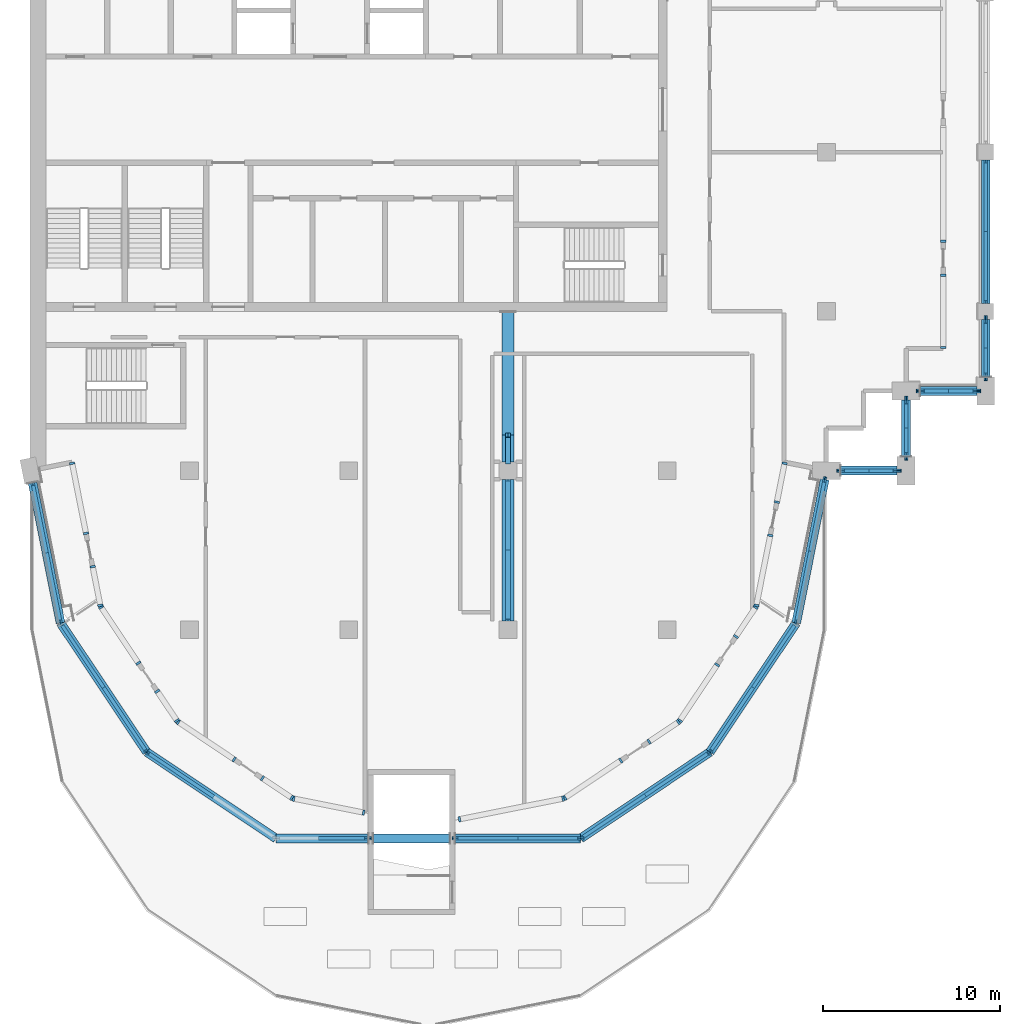
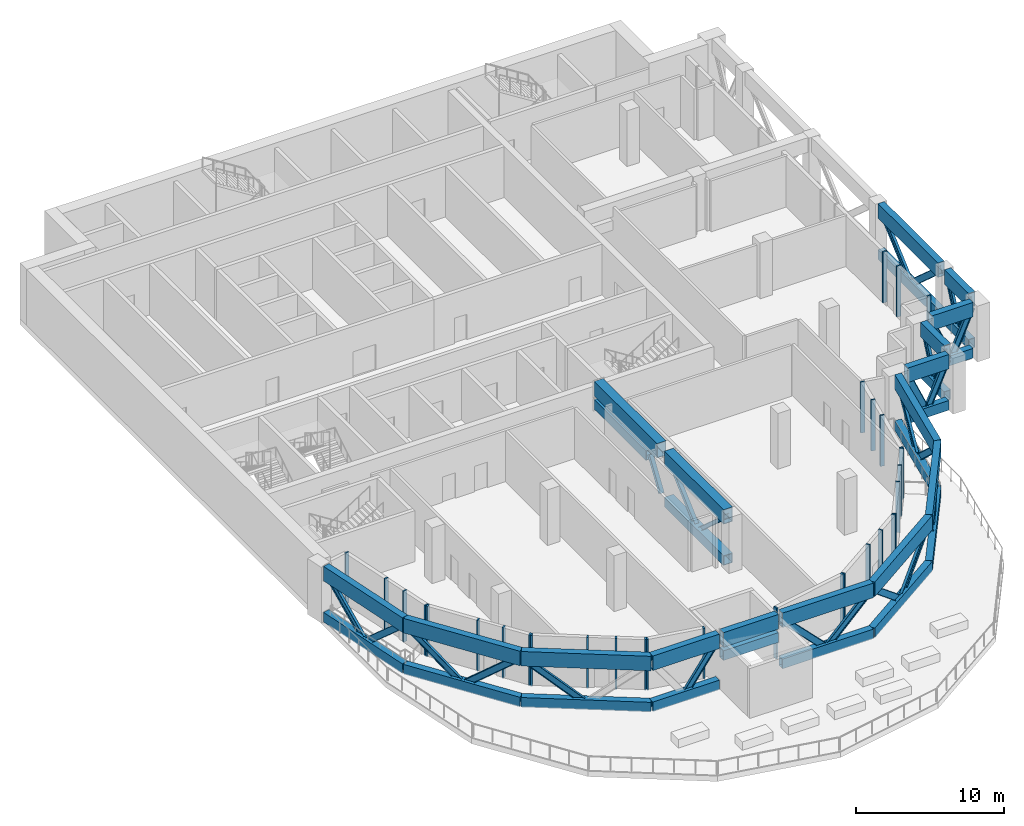
# One storey, part 2 of 18: 90 members.
"""IFC4 building model written with IfcOpenShell, lengths in metres."""

from ifc_helpers import new_model, si_unit, direction, frame, origin, origin_2d, place, context, subcontext, project, spatial, rectangle, hollow_rectangle, i_section, extrude, material, material_profile, profile_set, type_object, element, save


model = new_model("IFC4")

# Units and contexts
model_context = context("Model", 3, precision=1e-05, world=origin(), true_north=direction((0.0, 1.0)))
body_context = subcontext(model_context, "Body", "Model", "MODEL_VIEW")
ifc_project = project(units=[si_unit("LENGTHUNIT", "METRE"), si_unit("AREAUNIT", "SQUARE_METRE"), si_unit("VOLUMEUNIT", "CUBIC_METRE"), si_unit("PLANEANGLEUNIT", "RADIAN"), si_unit("MASSUNIT", "GRAM", prefix="KILO")], contexts=[model_context])

# Site, building, storey
site_placement = place(None, origin())
site = spatial("IfcSite", under=ifc_project, at=site_placement, CompositionType="ELEMENT")
building_placement = place(site_placement, origin())
building = spatial("IfcBuilding", under=site, at=building_placement, Name="Hunhe Ridgeline Campus", CompositionType="ELEMENT")
storey_placement = place(building_placement, frame((0.0, 0.0, 276.199951171875)))
storey = spatial("IfcBuildingStorey", under=building, at=storey_placement, Name="L71", CompositionType="ELEMENT", Elevation=276.199951171875)

# Members
ifc_material_1 = material(Name="Steel Q420", Category="steel")
ifc_material_profile_1 = material_profile(ifc_material_1, hollow_rectangle(XDim=0.5, YDim=0.800048828125, WallThickness=0.031982421875, at=origin_2d()))
ifc_profile_set_1 = profile_set([ifc_material_profile_1], Name="Steel Q420")
member_type_1 = type_object("IfcMemberType", Name="Belt truss bottom chord Box 800x500x32 Steel Q420", PredefinedType="CHORD", material=ifc_profile_set_1)
member_1_placement = place(storey_placement, frame((0.136474609375, 53.3134765625, 0.400146484375), z_axis=(0.195093234831, -0.980784701004, 0.0), x_axis=(0.980784701004, 0.195093234831, 0.0)))
element("IfcMember", 1, at=member_1_placement, inside=storey, type_object=member_type_1, Name="Belt truss BT1 bottom chord L71 2", PredefinedType="CHORD", context=body_context, shape_type="SweptSolid", body=[
    extrude(hollow_rectangle(XDim=0.5, YDim=0.800048828125, WallThickness=0.031982421875, at=origin_2d()), origin(), (0.0, 0.0, 1.0), 8.0791015625),
])
for number, where, z_axis, x_axis, name in (
    (2, (1.712646484375, 45.3896484375, 0.400146484375), (0.555572672849, -0.831467982056, 0.0), (0.831467982056, 0.555572672849, 0.0), "Belt truss BT1 bottom chord L71 6"),
    (3, (6.590087890625, 38.090087890625, 0.400146484375), (0.831467982056, -0.555572672849, 0.0), (0.555572672849, 0.831467982056, 0.0), "Belt truss BT1 bottom chord L71 10"),
):
    element("IfcMember", number, at=place(storey_placement, frame(where, z_axis=z_axis, x_axis=x_axis)), inside=storey, type_object=member_type_1, Name=name, PredefinedType="CHORD", context=body_context, shape_type="SweptSolid", body=[
        extrude(hollow_rectangle(XDim=0.5, YDim=0.800048828125, WallThickness=0.031982421875, at=origin_2d()), origin(), (0.0, 0.0, 1.0), 8.779052734375),
    ])
member_2_placement = place(storey_placement, frame((13.8896484375, 33.212646484375, 0.400146484375), z_axis=(1.0, 0.0, 0.0), x_axis=(0.0, 1.0, 0.0)))
element("IfcMember", 4, at=member_2_placement, inside=storey, type_object=member_type_1, Name="Belt truss BT1 bottom chord L71 14", PredefinedType="CHORD", context=body_context, shape_type="SweptSolid", body=[
    extrude(hollow_rectangle(XDim=0.5, YDim=0.800048828125, WallThickness=0.031982421875, at=origin_2d()), origin(), (0.0, 0.0, 1.0), 5.200439453125),
])
member_3_placement = place(storey_placement, frame((19.39990234375, 33.212646484375, 2.699951171875), z_axis=(1.0, 0.0, 0.0), x_axis=(0.0, 1.0, 0.0)))
element("IfcMember", 5, at=member_3_placement, inside=storey, type_object=member_type_1, Name="Belt truss BT1 bottom chord L71 18", PredefinedType="CHORD", context=body_context, shape_type="SweptSolid", body=[
    extrude(hollow_rectangle(XDim=0.5, YDim=0.800048828125, WallThickness=0.031982421875, at=origin_2d()), origin(), (0.0, 0.0, 1.0), 4.300048828125),
])
member_4_placement = place(storey_placement, frame((24.010009765625, 33.212646484375, 0.400146484375), z_axis=(1.0, 0.0, 0.0), x_axis=(0.0, 1.0, 0.0)))
element("IfcMember", 6, at=member_4_placement, inside=storey, type_object=member_type_1, Name="Belt truss BT1 bottom chord L71 20", PredefinedType="CHORD", context=body_context, shape_type="SweptSolid", body=[
    extrude(hollow_rectangle(XDim=0.5, YDim=0.800048828125, WallThickness=0.031982421875, at=origin_2d()), origin(), (0.0, 0.0, 1.0), 7.100341796875),
])
for number, where, z_axis, x_axis, name in (
    (7, (31.1103515625, 33.212646484375, 0.400146484375), (0.831467982056, 0.555572672849, 0.0), (-0.555572672849, 0.831467982056, 0.0), "Belt truss BT1 bottom chord L71 24"),
    (8, (38.409912109375, 38.090087890625, 0.400146484375), (0.555572672849, 0.831467982056, 0.0), (-0.831467982056, 0.555572672849, 0.0), "Belt truss BT1 bottom chord L71 28"),
):
    element("IfcMember", number, at=place(storey_placement, frame(where, z_axis=z_axis, x_axis=x_axis)), inside=storey, type_object=member_type_1, Name=name, PredefinedType="CHORD", context=body_context, shape_type="SweptSolid", body=[
        extrude(hollow_rectangle(XDim=0.5, YDim=0.800048828125, WallThickness=0.031982421875, at=origin_2d()), origin(), (0.0, 0.0, 1.0), 8.779052734375),
    ])
member_5_placement = place(storey_placement, frame((43.287353515625, 45.3896484375, 0.400146484375), z_axis=(0.195094046865, 0.980784539477, 0.0), x_axis=(-0.980784539477, 0.195094046865, 0.0)))
element("IfcMember", 9, at=member_5_placement, inside=storey, type_object=member_type_1, Name="Belt truss BT1 bottom chord L71 32", PredefinedType="CHORD", context=body_context, shape_type="SweptSolid", body=[
    extrude(hollow_rectangle(XDim=0.5, YDim=0.800048828125, WallThickness=0.031982421875, at=origin_2d()), origin(), (0.0, 0.0, 1.0), 8.269287109375),
])
for number, where, z_axis, x_axis, name in (
    (10, (45.800048828125, 54.0, 0.400146484375), (1.0, 0.0, 0.0), (0.0, 1.0, 0.0), "Belt truss BT1 bottom chord L71 36"),
    (11, (49.5, 54.800048828125, 0.400146484375), (0.0, 1.0, 0.0), (-1.0, 0.0, 0.0), "Belt truss BT1 bottom chord L71 40"),
    (12, (50.300048828125, 58.5, 0.400146484375), (1.0, 0.0, 0.0), (0.0, 1.0, 0.0), "Belt truss BT1 bottom chord L71 44"),
):
    element("IfcMember", number, at=place(storey_placement, frame(where, z_axis=z_axis, x_axis=x_axis)), inside=storey, type_object=member_type_1, Name=name, PredefinedType="CHORD", context=body_context, shape_type="SweptSolid", body=[
        extrude(hollow_rectangle(XDim=0.5, YDim=0.800048828125, WallThickness=0.031982421875, at=origin_2d()), origin(), (0.0, 0.0, 1.0), 3.199951171875),
    ])
member_6_placement = place(storey_placement, frame((54.0, 59.300048828125, 0.400146484375), z_axis=(0.0, 1.0, 0.0), x_axis=(-1.0, 0.0, 0.0)))
element("IfcMember", 13, at=member_6_placement, inside=storey, type_object=member_type_1, Name="Belt truss BT1 bottom chord L71 48", PredefinedType="CHORD", context=body_context, shape_type="SweptSolid", body=[
    extrude(hollow_rectangle(XDim=0.5, YDim=0.800048828125, WallThickness=0.031982421875, at=origin_2d()), origin(), (0.0, 0.0, 1.0), 3.25),
])
member_7_placement = place(storey_placement, frame((54.0, 63.449951171875, 0.400146484375), z_axis=(0.0, 1.0, 0.0), x_axis=(-1.0, 0.0, 0.0)))
element("IfcMember", 14, at=member_7_placement, inside=storey, type_object=member_type_1, Name="Belt truss BT1 bottom chord L71 52", PredefinedType="CHORD", context=body_context, shape_type="SweptSolid", body=[
    extrude(hollow_rectangle(XDim=0.5, YDim=0.800048828125, WallThickness=0.031982421875, at=origin_2d()), origin(), (0.0, 0.0, 1.0), 8.10009765625),
])
ifc_material_profile_2 = material_profile(ifc_material_1, i_section(OverallWidth=0.199951171875, OverallDepth=0.5, WebThickness=0.010009765625, FlangeThickness=0.01611328125, FilletRadius=0.02001953125, at=origin_2d()))
ifc_profile_set_2 = profile_set([ifc_material_profile_2], Name="Steel Q420")
member_type_2 = type_object("IfcMemberType", Name="Belt truss diagonal HN500x200x10x16 Steel Q420", PredefinedType="BRACE", material=ifc_profile_set_2)
for number, where, z_axis, x_axis, name in (
    (15, (0.136474609375, 53.3134765625, 4.0), (0.145650461646, -0.732222952786, -0.665308567835), (0.980784701004, 0.195093234831, 0.0), "Belt truss BT1 diagonal L71 3"),
    (16, (0.924560546875, 49.3515625, 0.400146484375), (0.145650461646, -0.732222952786, 0.665308567835), (0.980784701004, 0.195093234831, 0.0), "Belt truss BT1 diagonal L71 4"),
):
    element("IfcMember", number, at=place(storey_placement, frame(where, z_axis=z_axis, x_axis=x_axis)), inside=storey, type_object=member_type_2, Name=name, PredefinedType="BRACE", context=body_context, shape_type="SweptSolid", body=[
        extrude(i_section(OverallWidth=0.199951171875, OverallDepth=0.5, WebThickness=0.010009765625, FlangeThickness=0.01611328125, FilletRadius=0.02001953125, at=origin_2d()), origin(), (0.0, 0.0, 1.0), 5.410888671875),
    ])
member_8_placement = place(storey_placement, frame((1.712646484375, 45.3896484375, 4.0), z_axis=(0.429580712233, -0.642930388216, -0.634114285903), x_axis=(0.831476565381, 0.555559826862, 0.0)))
element("IfcMember", 17, at=member_8_placement, inside=storey, type_object=member_type_2, Name="Belt truss BT1 diagonal L71 7", PredefinedType="BRACE", context=body_context, shape_type="SweptSolid", body=[
    extrude(i_section(OverallWidth=0.199951171875, OverallDepth=0.5, WebThickness=0.010009765625, FlangeThickness=0.01611328125, FilletRadius=0.02001953125, at=origin_2d()), origin(), (0.0, 0.0, 1.0), 5.677001953125),
])
for number, where, z_axis, x_axis, name in (
    (18, (4.1513671875, 41.73974609375, 0.400146484375), (0.429592590005, -0.642905158473, 0.634131818963), (0.831459398135, 0.555585519297, 0.0), "Belt truss BT1 diagonal L71 8"),
    (19, (6.590087890625, 38.090087890625, 4.0), (0.642905158473, -0.429592590005, -0.634131818963), (0.555585519297, 0.831459398135, 0.0), "Belt truss BT1 diagonal L71 11"),
):
    element("IfcMember", number, at=place(storey_placement, frame(where, z_axis=z_axis, x_axis=x_axis)), inside=storey, type_object=member_type_2, Name=name, PredefinedType="BRACE", context=body_context, shape_type="SweptSolid", body=[
        extrude(i_section(OverallWidth=0.199951171875, OverallDepth=0.5, WebThickness=0.010009765625, FlangeThickness=0.01611328125, FilletRadius=0.02001953125, at=origin_2d()), origin(), (0.0, 0.0, 1.0), 5.6767578125),
    ])
member_9_placement = place(storey_placement, frame((16.48974609375, 33.212646484375, 0.400146484375), z_axis=(0.58555679156, 0.0, 0.810631385932), x_axis=(0.0, 1.0, 0.0)))
element("IfcMember", 20, at=member_9_placement, inside=storey, type_object=member_type_2, Name="Belt truss BT1 diagonal L71 16", PredefinedType="BRACE", context=body_context, shape_type="SweptSolid", body=[
    extrude(i_section(OverallWidth=0.199951171875, OverallDepth=0.5, WebThickness=0.010009765625, FlangeThickness=0.01611328125, FilletRadius=0.02001953125, at=origin_2d()), origin(), (0.0, 0.0, 1.0), 4.44091796875),
])
member_10_placement = place(storey_placement, frame((24.010009765625, 33.212646484375, 4.0), z_axis=(0.702188671218, 0.0, -0.711990919895), x_axis=(0.0, 1.0, 0.0)))
element("IfcMember", 21, at=member_10_placement, inside=storey, type_object=member_type_2, Name="Belt truss BT1 diagonal L71 21", PredefinedType="BRACE", context=body_context, shape_type="SweptSolid", body=[
    extrude(i_section(OverallWidth=0.199951171875, OverallDepth=0.5, WebThickness=0.010009765625, FlangeThickness=0.01611328125, FilletRadius=0.02001953125, at=origin_2d()), origin(), (0.0, 0.0, 1.0), 5.05615234375),
])
member_11_placement = place(storey_placement, frame((27.560302734375, 33.212646484375, 0.400146484375), z_axis=(0.702164191823, 0.0, 0.712015061443), x_axis=(0.0, 1.0, 0.0)))
element("IfcMember", 22, at=member_11_placement, inside=storey, type_object=member_type_2, Name="Belt truss BT1 diagonal L71 22", PredefinedType="BRACE", context=body_context, shape_type="SweptSolid", body=[
    extrude(i_section(OverallWidth=0.199951171875, OverallDepth=0.5, WebThickness=0.010009765625, FlangeThickness=0.01611328125, FilletRadius=0.02001953125, at=origin_2d()), origin(), (0.0, 0.0, 1.0), 5.055908203125),
])
member_12_placement = place(storey_placement, frame((31.1103515625, 33.212646484375, 4.0), z_axis=(0.642930388216, 0.429580712233, -0.634114285903), x_axis=(-0.555559826862, 0.831476565381, 0.0)))
element("IfcMember", 23, at=member_12_placement, inside=storey, type_object=member_type_2, Name="Belt truss BT1 diagonal L71 25", PredefinedType="BRACE", context=body_context, shape_type="SweptSolid", body=[
    extrude(i_section(OverallWidth=0.199951171875, OverallDepth=0.5, WebThickness=0.010009765625, FlangeThickness=0.01611328125, FilletRadius=0.02001953125, at=origin_2d()), origin(), (0.0, 0.0, 1.0), 5.677001953125),
])
for number, where, z_axis, x_axis, name in (
    (24, (34.76025390625, 35.6513671875, 0.400146484375), (0.642905158473, 0.429592590005, 0.634131818963), (-0.555585519297, 0.831459398135, 0.0), "Belt truss BT1 diagonal L71 26"),
    (25, (38.409912109375, 38.090087890625, 4.0), (0.429592590005, 0.642905158473, -0.634131818963), (-0.831459398135, 0.555585519297, 0.0), "Belt truss BT1 diagonal L71 29"),
):
    element("IfcMember", number, at=place(storey_placement, frame(where, z_axis=z_axis, x_axis=x_axis)), inside=storey, type_object=member_type_2, Name=name, PredefinedType="BRACE", context=body_context, shape_type="SweptSolid", body=[
        extrude(i_section(OverallWidth=0.199951171875, OverallDepth=0.5, WebThickness=0.010009765625, FlangeThickness=0.01611328125, FilletRadius=0.02001953125, at=origin_2d()), origin(), (0.0, 0.0, 1.0), 5.6767578125),
    ])
member_13_placement = place(storey_placement, frame((40.8486328125, 41.73974609375, 0.400146484375), z_axis=(0.429580712233, 0.642930388216, 0.634114285903), x_axis=(-0.831476565381, 0.555559826862, 0.0)))
element("IfcMember", 26, at=member_13_placement, inside=storey, type_object=member_type_2, Name="Belt truss BT1 diagonal L71 30", PredefinedType="BRACE", context=body_context, shape_type="SweptSolid", body=[
    extrude(i_section(OverallWidth=0.199951171875, OverallDepth=0.5, WebThickness=0.010009765625, FlangeThickness=0.01611328125, FilletRadius=0.02001953125, at=origin_2d()), origin(), (0.0, 0.0, 1.0), 5.677001953125),
])
for number, where, z_axis, x_axis, name in (
    (27, (43.287353515625, 45.3896484375, 4.0), (0.147139230225, 0.739704181002, -0.656648895176), (-0.980784539477, 0.195094046865, 0.0), "Belt truss BT1 diagonal L71 33"),
    (28, (44.093994140625, 49.44482421875, 0.400146484375), (0.147139230225, 0.739704181002, 0.656648895176), (-0.980784539477, 0.195094046865, 0.0), "Belt truss BT1 diagonal L71 34"),
):
    element("IfcMember", number, at=place(storey_placement, frame(where, z_axis=z_axis, x_axis=x_axis)), inside=storey, type_object=member_type_2, Name=name, PredefinedType="BRACE", context=body_context, shape_type="SweptSolid", body=[
        extrude(i_section(OverallWidth=0.199951171875, OverallDepth=0.5, WebThickness=0.010009765625, FlangeThickness=0.01611328125, FilletRadius=0.02001953125, at=origin_2d()), origin(), (0.0, 0.0, 1.0), 5.482177734375),
    ])
for number, where, z_axis, x_axis, name in (
    (29, (45.800048828125, 54.0, 4.0), (0.406121215249, 0.0, -0.91381921545), (0.0, 1.0, 0.0), "Belt truss BT1 diagonal L71 37"),
    (30, (47.39990234375, 54.0, 0.400146484375), (0.40617296636, 0.0, 0.913796214371), (0.0, 1.0, 0.0), "Belt truss BT1 diagonal L71 38"),
    (31, (49.5, 54.800048828125, 4.0), (0.0, 0.406121215249, -0.91381921545), (-1.0, 0.0, 0.0), "Belt truss BT1 diagonal L71 41"),
    (32, (49.5, 56.39990234375, 0.400146484375), (0.0, 0.40617296636, 0.913796214371), (-1.0, 0.0, 0.0), "Belt truss BT1 diagonal L71 42"),
    (33, (50.300048828125, 58.5, 4.0), (0.406121215249, 0.0, -0.91381921545), (0.0, 1.0, 0.0), "Belt truss BT1 diagonal L71 45"),
    (34, (51.89990234375, 58.5, 0.400146484375), (0.40617296636, 0.0, 0.913796214371), (0.0, 1.0, 0.0), "Belt truss BT1 diagonal L71 46"),
):
    element("IfcMember", number, at=place(storey_placement, frame(where, z_axis=z_axis, x_axis=x_axis)), inside=storey, type_object=member_type_2, Name=name, PredefinedType="BRACE", context=body_context, shape_type="SweptSolid", body=[
        extrude(i_section(OverallWidth=0.199951171875, OverallDepth=0.5, WebThickness=0.010009765625, FlangeThickness=0.01611328125, FilletRadius=0.02001953125, at=origin_2d()), origin(), (0.0, 0.0, 1.0), 3.939453125),
    ])
for number, where, z_axis, x_axis, name in (
    (35, (54.0, 59.300048828125, 4.0), (0.0, 0.411431033876, -0.911440894608), (-1.0, 0.0, 0.0), "Belt truss BT1 diagonal L71 49"),
    (36, (54.0, 60.925048828125, 0.400146484375), (0.0, 0.411431033876, 0.911440894608), (-1.0, 0.0, 0.0), "Belt truss BT1 diagonal L71 50"),
):
    element("IfcMember", number, at=place(storey_placement, frame(where, z_axis=z_axis, x_axis=x_axis)), inside=storey, type_object=member_type_2, Name=name, PredefinedType="BRACE", context=body_context, shape_type="SweptSolid", body=[
        extrude(i_section(OverallWidth=0.199951171875, OverallDepth=0.5, WebThickness=0.010009765625, FlangeThickness=0.01611328125, FilletRadius=0.02001953125, at=origin_2d()), origin(), (0.0, 0.0, 1.0), 3.94970703125),
    ])
for number, where, z_axis, x_axis, name in (
    (37, (54.0, 63.449951171875, 4.0), (0.0, 0.747426719196, -0.664344262737), (-1.0, 0.0, 0.0), "Belt truss BT1 diagonal L71 53"),
    (38, (54.0, 67.5, 0.400146484375), (0.0, 0.747426719196, 0.664344262737), (-1.0, 0.0, 0.0), "Belt truss BT1 diagonal L71 54"),
):
    element("IfcMember", number, at=place(storey_placement, frame(where, z_axis=z_axis, x_axis=x_axis)), inside=storey, type_object=member_type_2, Name=name, PredefinedType="BRACE", context=body_context, shape_type="SweptSolid", body=[
        extrude(i_section(OverallWidth=0.199951171875, OverallDepth=0.5, WebThickness=0.010009765625, FlangeThickness=0.01611328125, FilletRadius=0.02001953125, at=origin_2d()), origin(), (0.0, 0.0, 1.0), 5.418701171875),
    ])
ifc_material_profile_3 = material_profile(ifc_material_1, hollow_rectangle(XDim=0.5, YDim=1.199951171875, WallThickness=0.031982421875, at=origin_2d()))
ifc_profile_set_3 = profile_set([ifc_material_profile_3], Name="Steel Q420")
member_type_3 = type_object("IfcMemberType", Name="Belt truss top chord Box 1200x500x32 Steel Q420", PredefinedType="CHORD", material=ifc_profile_set_3)
member_14_placement = place(storey_placement, frame((0.136474609375, 53.3134765625, 4.0), z_axis=(0.195093234831, -0.980784701004, 0.0), x_axis=(0.980784701004, 0.195093234831, 0.0)))
element("IfcMember", 39, at=member_14_placement, inside=storey, type_object=member_type_3, Name="Belt truss BT1 top chord L71 1", PredefinedType="CHORD", context=body_context, shape_type="SweptSolid", body=[
    extrude(hollow_rectangle(XDim=0.5, YDim=1.199951171875, WallThickness=0.031982421875, at=origin_2d()), origin(), (0.0, 0.0, 1.0), 8.0791015625),
])
for number, where, z_axis, x_axis, name in (
    (40, (1.712646484375, 45.3896484375, 4.0), (0.555572672849, -0.831467982056, 0.0), (0.831467982056, 0.555572672849, 0.0), "Belt truss BT1 top chord L71 5"),
    (41, (6.590087890625, 38.090087890625, 4.0), (0.831467982056, -0.555572672849, 0.0), (0.555572672849, 0.831467982056, 0.0), "Belt truss BT1 top chord L71 9"),
):
    element("IfcMember", number, at=place(storey_placement, frame(where, z_axis=z_axis, x_axis=x_axis)), inside=storey, type_object=member_type_3, Name=name, PredefinedType="CHORD", context=body_context, shape_type="SweptSolid", body=[
        extrude(hollow_rectangle(XDim=0.5, YDim=1.199951171875, WallThickness=0.031982421875, at=origin_2d()), origin(), (0.0, 0.0, 1.0), 8.779052734375),
    ])
member_15_placement = place(storey_placement, frame((13.8896484375, 33.212646484375, 4.0), z_axis=(1.0, 0.0, 0.0), x_axis=(0.0, 1.0, 0.0)))
element("IfcMember", 42, at=member_15_placement, inside=storey, type_object=member_type_3, Name="Belt truss BT1 top chord L71 13", PredefinedType="CHORD", context=body_context, shape_type="SweptSolid", body=[
    extrude(hollow_rectangle(XDim=0.5, YDim=1.199951171875, WallThickness=0.031982421875, at=origin_2d()), origin(), (0.0, 0.0, 1.0), 5.200439453125),
])
member_16_placement = place(storey_placement, frame((19.39990234375, 33.212646484375, 4.0), z_axis=(1.0, 0.0, 0.0), x_axis=(0.0, 1.0, 0.0)))
element("IfcMember", 43, at=member_16_placement, inside=storey, type_object=member_type_3, Name="Belt truss BT1 top chord L71 17", PredefinedType="CHORD", context=body_context, shape_type="SweptSolid", body=[
    extrude(hollow_rectangle(XDim=0.5, YDim=1.199951171875, WallThickness=0.031982421875, at=origin_2d()), origin(), (0.0, 0.0, 1.0), 4.300048828125),
])
member_17_placement = place(storey_placement, frame((24.010009765625, 33.212646484375, 4.0), z_axis=(1.0, 0.0, 0.0), x_axis=(0.0, 1.0, 0.0)))
element("IfcMember", 44, at=member_17_placement, inside=storey, type_object=member_type_3, Name="Belt truss BT1 top chord L71 19", PredefinedType="CHORD", context=body_context, shape_type="SweptSolid", body=[
    extrude(hollow_rectangle(XDim=0.5, YDim=1.199951171875, WallThickness=0.031982421875, at=origin_2d()), origin(), (0.0, 0.0, 1.0), 7.100341796875),
])
for number, where, z_axis, x_axis, name in (
    (45, (31.1103515625, 33.212646484375, 4.0), (0.831467982056, 0.555572672849, 0.0), (-0.555572672849, 0.831467982056, 0.0), "Belt truss BT1 top chord L71 23"),
    (46, (38.409912109375, 38.090087890625, 4.0), (0.555572672849, 0.831467982056, 0.0), (-0.831467982056, 0.555572672849, 0.0), "Belt truss BT1 top chord L71 27"),
):
    element("IfcMember", number, at=place(storey_placement, frame(where, z_axis=z_axis, x_axis=x_axis)), inside=storey, type_object=member_type_3, Name=name, PredefinedType="CHORD", context=body_context, shape_type="SweptSolid", body=[
        extrude(hollow_rectangle(XDim=0.5, YDim=1.199951171875, WallThickness=0.031982421875, at=origin_2d()), origin(), (0.0, 0.0, 1.0), 8.779052734375),
    ])
member_18_placement = place(storey_placement, frame((43.287353515625, 45.3896484375, 4.0), z_axis=(0.195094046865, 0.980784539477, 0.0), x_axis=(-0.980784539477, 0.195094046865, 0.0)))
element("IfcMember", 47, at=member_18_placement, inside=storey, type_object=member_type_3, Name="Belt truss BT1 top chord L71 31", PredefinedType="CHORD", context=body_context, shape_type="SweptSolid", body=[
    extrude(hollow_rectangle(XDim=0.5, YDim=1.199951171875, WallThickness=0.031982421875, at=origin_2d()), origin(), (0.0, 0.0, 1.0), 8.269287109375),
])
for number, where, z_axis, x_axis, name in (
    (48, (45.800048828125, 54.0, 4.0), (1.0, 0.0, 0.0), (0.0, 1.0, 0.0), "Belt truss BT1 top chord L71 35"),
    (49, (49.5, 54.800048828125, 4.0), (0.0, 1.0, 0.0), (-1.0, 0.0, 0.0), "Belt truss BT1 top chord L71 39"),
    (50, (50.300048828125, 58.5, 4.0), (1.0, 0.0, 0.0), (0.0, 1.0, 0.0), "Belt truss BT1 top chord L71 43"),
):
    element("IfcMember", number, at=place(storey_placement, frame(where, z_axis=z_axis, x_axis=x_axis)), inside=storey, type_object=member_type_3, Name=name, PredefinedType="CHORD", context=body_context, shape_type="SweptSolid", body=[
        extrude(hollow_rectangle(XDim=0.5, YDim=1.199951171875, WallThickness=0.031982421875, at=origin_2d()), origin(), (0.0, 0.0, 1.0), 3.199951171875),
    ])
member_19_placement = place(storey_placement, frame((54.0, 59.300048828125, 4.0), z_axis=(0.0, 1.0, 0.0), x_axis=(-1.0, 0.0, 0.0)))
element("IfcMember", 51, at=member_19_placement, inside=storey, type_object=member_type_3, Name="Belt truss BT1 top chord L71 47", PredefinedType="CHORD", context=body_context, shape_type="SweptSolid", body=[
    extrude(hollow_rectangle(XDim=0.5, YDim=1.199951171875, WallThickness=0.031982421875, at=origin_2d()), origin(), (0.0, 0.0, 1.0), 3.25),
])
member_20_placement = place(storey_placement, frame((54.0, 63.449951171875, 4.0), z_axis=(0.0, 1.0, 0.0), x_axis=(-1.0, 0.0, 0.0)))
element("IfcMember", 52, at=member_20_placement, inside=storey, type_object=member_type_3, Name="Belt truss BT1 top chord L71 51", PredefinedType="CHORD", context=body_context, shape_type="SweptSolid", body=[
    extrude(hollow_rectangle(XDim=0.5, YDim=1.199951171875, WallThickness=0.031982421875, at=origin_2d()), origin(), (0.0, 0.0, 1.0), 8.10009765625),
])
ifc_material_2 = material(Name="Aluminium 6063", Category="aluminium")
ifc_material_profile_4 = material_profile(ifc_material_2, rectangle(XDim=0.300048828125, YDim=0.1201171875, at=origin_2d()))
ifc_profile_set_4 = profile_set([ifc_material_profile_4], Name="Aluminium 6063")
member_type_4 = type_object("IfcMemberType", Name="Louvre frame jamb 120x300 Aluminium 6063", PredefinedType="USERDEFINED", material=ifc_profile_set_4)
for number, where, z_axis, x_axis, name in (
    (53, (2.366455078125, 54.409912109375, 0.0), (0.0, 0.0, 1.0), (0.980784280831, 0.195095347137, 0.0), "Louvre frame jamb 1a"),
    (54, (3.15283203125, 50.456298828125, 0.0), (0.0, 0.0, 1.0), (0.980784280831, 0.195095347137, 0.0), "Louvre frame jamb 1b"),
    (55, (3.52734375, 48.5732421875, 0.0), (0.0, 0.0, 1.0), (0.980784306597, 0.195095217605, 0.0), "Louvre frame jamb 2a"),
    (56, (3.962646484375, 46.38525390625, 0.0), (0.0, 0.0, 1.0), (0.980784306597, 0.195095217605, 0.0), "Louvre frame jamb 2b"),
    (57, (4.0078125, 46.276611328125, 0.0), (0.0, 0.0, 1.0), (0.83146952548, 0.555570362959, 0.0), "Louvre frame jamb 3a"),
    (58, (6.114501953125, 43.123779296875, 0.0), (0.0, 0.0, 1.0), (0.83146952548, 0.555570362959, 0.0), "Louvre frame jamb 3b"),
    (59, (7.18115234375, 41.52734375, 0.0), (0.0, 0.0, 1.0), (0.831469622629, 0.555570217564, 0.0), "Louvre frame jamb 4a"),
    (60, (8.287841796875, 39.87109375, 0.0), (0.0, 0.0, 1.0), (0.831469622629, 0.555570217564, 0.0), "Louvre frame jamb 4b"),
    (61, (8.37109375, 39.787841796875, 0.0), (0.0, 0.0, 1.0), (0.555570362959, 0.83146952548, 0.0), "Louvre frame jamb 5a"),
    (62, (11.52392578125, 37.68115234375, 0.0), (0.0, 0.0, 1.0), (0.555570362959, 0.83146952548, 0.0), "Louvre frame jamb 5b"),
    (63, (13.120361328125, 36.614501953125, 0.0), (0.0, 0.0, 1.0), (0.555570217564, 0.831469622629, 0.0), "Louvre frame jamb 6a"),
    (64, (14.776611328125, 35.5078125, 0.0), (0.0, 0.0, 1.0), (0.555570217564, 0.831469622629, 0.0), "Louvre frame jamb 6b"),
    (65, (14.88525390625, 35.462646484375, 0.0), (0.0, 0.0, 1.0), (0.195090259536, 0.980785292831, 0.0), "Louvre frame jamb 7a"),
    (66, (18.841064453125, 34.67578125, 0.0), (0.0, 0.0, 1.0), (0.195090259536, 0.980785292831, 0.0), "Louvre frame jamb 7b"),
    (67, (24.2587890625, 34.2978515625, 0.0), (0.0, 0.0, 1.0), (-0.195090358683, 0.98078527311, 0.0), "Louvre frame jamb 8a"),
    (68, (30.11474609375, 35.462646484375, 0.0), (0.0, 0.0, 1.0), (-0.195090358683, 0.98078527311, 0.0), "Louvre frame jamb 8b"),
    (69, (30.223388671875, 35.5078125, 0.0), (0.0, 0.0, 1.0), (-0.555570186233, 0.831469643564, 0.0), "Louvre frame jamb 9a"),
    (70, (33.376220703125, 37.614501953125, 0.0), (0.0, 0.0, 1.0), (-0.555570186233, 0.831469643564, 0.0), "Louvre frame jamb 9b"),
    (71, (34.97265625, 38.68115234375, 0.0), (0.0, 0.0, 1.0), (-0.555570217564, 0.831469622629, 0.0), "Louvre frame jamb 10a"),
    (72, (36.62890625, 39.787841796875, 0.0), (0.0, 0.0, 1.0), (-0.555570217564, 0.831469622629, 0.0), "Louvre frame jamb 10b"),
    (73, (36.712158203125, 39.87109375, 0.0), (0.0, 0.0, 1.0), (-0.83146952548, 0.555570362959, 0.0), "Louvre frame jamb 11a"),
    (74, (38.81884765625, 43.02392578125, 0.0), (0.0, 0.0, 1.0), (-0.83146952548, 0.555570362959, 0.0), "Louvre frame jamb 11b"),
    (75, (39.885498046875, 44.620361328125, 0.0), (0.0, 0.0, 1.0), (-0.831469622629, 0.555570217564, 0.0), "Louvre frame jamb 12a"),
    (76, (40.9921875, 46.276611328125, 0.0), (0.0, 0.0, 1.0), (-0.831469622629, 0.555570217564, 0.0), "Louvre frame jamb 12b"),
    (77, (41.037353515625, 46.38525390625, 0.0), (0.0, 0.0, 1.0), (-0.980782534294, 0.19510412713, 0.0), "Louvre frame jamb 13a"),
    (78, (41.82373046875, 50.3388671875, 0.0), (0.0, 0.0, 1.0), (-0.980782534294, 0.19510412713, 0.0), "Louvre frame jamb 13b"),
    (79, (42.1982421875, 52.221923828125, 0.0), (0.0, 0.0, 1.0), (-0.980782508483, 0.195104256884, 0.0), "Louvre frame jamb 14a"),
    (80, (42.633544921875, 54.409912109375, 0.0), (0.0, 0.0, 1.0), (-0.980782508483, 0.195104256884, 0.0), "Louvre frame jamb 14b"),
    (81, (51.59912109375, 60.9609375, 0.0), (0.0, 0.0, 1.0), (-1.0, 0.0, 0.0), "Louvre frame jamb 15a"),
    (82, (51.59912109375, 65.040771484375, 0.0), (0.0, 0.0, 1.0), (-1.0, 0.0, 0.0), "Louvre frame jamb 15b"),
    (83, (51.59912109375, 66.9609375, 0.0), (0.0, 0.0, 1.0), (-1.0, 0.0, 0.0), "Louvre frame jamb 16a"),
):
    element("IfcMember", number, at=place(storey_placement, frame(where, z_axis=z_axis, x_axis=x_axis)), inside=storey, type_object=member_type_4, Name=name, ObjectType="LOUVRE FRAME", PredefinedType="USERDEFINED", context=body_context, shape_type="SweptSolid", body=[
        extrude(rectangle(XDim=0.300048828125, YDim=0.1201171875, at=origin_2d()), origin(), (0.0, 0.0, 1.0), 4.199951171875),
    ])
ifc_material_profile_5 = material_profile(ifc_material_1, hollow_rectangle(XDim=0.699951171875, YDim=0.800048828125, WallThickness=0.0400390625, at=origin_2d()))
ifc_profile_set_5 = profile_set([ifc_material_profile_5], Name="Steel Q420")
member_type_5 = type_object("IfcMemberType", Name="Outrigger truss bottom chord Box 800x700x40 Steel Q420", PredefinedType="CHORD", material=ifc_profile_set_5)
member_21_placement = place(storey_placement, frame((27.0, 63.0, 2.699951171875), z_axis=(0.0, -1.0, 0.0), x_axis=(1.0, 0.0, 0.0)))
element("IfcMember", 84, at=member_21_placement, inside=storey, type_object=member_type_5, Name="Outrigger truss OR2 bottom chord L71 2", PredefinedType="CHORD", context=body_context, shape_type="SweptSolid", body=[
    extrude(hollow_rectangle(XDim=0.699951171875, YDim=0.800048828125, WallThickness=0.0400390625, at=origin_2d()), origin(), (0.0, 0.0, 1.0), 7.0),
])
member_22_placement = place(storey_placement, frame((27.0, 53.5, 0.400146484375), z_axis=(0.0, -1.0, 0.0), x_axis=(1.0, 0.0, 0.0)))
element("IfcMember", 85, at=member_22_placement, inside=storey, type_object=member_type_5, Name="Outrigger truss OR2 bottom chord L71 5", PredefinedType="CHORD", context=body_context, shape_type="SweptSolid", body=[
    extrude(hollow_rectangle(XDim=0.699951171875, YDim=0.800048828125, WallThickness=0.0400390625, at=origin_2d()), origin(), (0.0, 0.0, 1.0), 8.0),
])
ifc_material_profile_6 = material_profile(ifc_material_1, i_section(OverallWidth=0.300048828125, OverallDepth=0.300048828125, WebThickness=0.010009765625, FlangeThickness=0.014892578125, FilletRadius=0.012939453125, at=origin_2d()))
ifc_profile_set_6 = profile_set([ifc_material_profile_6], Name="Steel Q420")
member_type_6 = type_object("IfcMemberType", Name="Outrigger truss diagonal HW300x300x10x15 Steel Q420", PredefinedType="BRACE", material=ifc_profile_set_6)
member_23_placement = place(storey_placement, frame((27.0, 56.0, 2.699951171875), z_axis=(0.0, -0.546300327661, -0.837589369558), x_axis=(1.0, 0.0, 0.0)))
element("IfcMember", 86, at=member_23_placement, inside=storey, type_object=member_type_6, Name="Outrigger truss OR2 knee brace L71 3", PredefinedType="BRACE", context=body_context, shape_type="SweptSolid", body=[
    extrude(i_section(OverallWidth=0.300048828125, OverallDepth=0.300048828125, WebThickness=0.010009765625, FlangeThickness=0.014892578125, FilletRadius=0.012939453125, at=origin_2d()), origin(), (0.0, 0.0, 1.0), 2.745849609375),
])
for number, where, z_axis, x_axis, name in (
    (87, (27.0, 53.5, 4.0), (0.0, -0.74330768127, -0.668949692402), (1.0, 0.0, 0.0), "Outrigger truss OR2 diagonal L71 6"),
    (88, (27.0, 49.5, 0.400146484375), (0.0, -0.74330768127, 0.668949692402), (1.0, 0.0, 0.0), "Outrigger truss OR2 diagonal L71 7"),
):
    element("IfcMember", number, at=place(storey_placement, frame(where, z_axis=z_axis, x_axis=x_axis)), inside=storey, type_object=member_type_6, Name=name, PredefinedType="BRACE", context=body_context, shape_type="SweptSolid", body=[
        extrude(i_section(OverallWidth=0.300048828125, OverallDepth=0.300048828125, WebThickness=0.010009765625, FlangeThickness=0.014892578125, FilletRadius=0.012939453125, at=origin_2d()), origin(), (0.0, 0.0, 1.0), 5.38134765625),
    ])
ifc_material_profile_7 = material_profile(ifc_material_1, hollow_rectangle(XDim=0.699951171875, YDim=1.199951171875, WallThickness=0.0400390625, at=origin_2d()))
ifc_profile_set_7 = profile_set([ifc_material_profile_7], Name="Steel Q420")
member_type_7 = type_object("IfcMemberType", Name="Outrigger truss top chord Box 1200x700x40 Steel Q420", PredefinedType="CHORD", material=ifc_profile_set_7)
member_24_placement = place(storey_placement, frame((27.0, 63.0, 4.0), z_axis=(0.0, -1.0, 0.0), x_axis=(1.0, 0.0, 0.0)))
element("IfcMember", 89, at=member_24_placement, inside=storey, type_object=member_type_7, Name="Outrigger truss OR2 top chord L71 1", PredefinedType="CHORD", context=body_context, shape_type="SweptSolid", body=[
    extrude(hollow_rectangle(XDim=0.699951171875, YDim=1.199951171875, WallThickness=0.0400390625, at=origin_2d()), origin(), (0.0, 0.0, 1.0), 8.5),
])
member_25_placement = place(storey_placement, frame((27.0, 53.5, 4.0), z_axis=(0.0, -1.0, 0.0), x_axis=(1.0, 0.0, 0.0)))
element("IfcMember", 90, at=member_25_placement, inside=storey, type_object=member_type_7, Name="Outrigger truss OR2 top chord L71 4", PredefinedType="CHORD", context=body_context, shape_type="SweptSolid", body=[
    extrude(hollow_rectangle(XDim=0.699951171875, YDim=1.199951171875, WallThickness=0.0400390625, at=origin_2d()), origin(), (0.0, 0.0, 1.0), 8.0),
])

save(model, "model.ifc")
